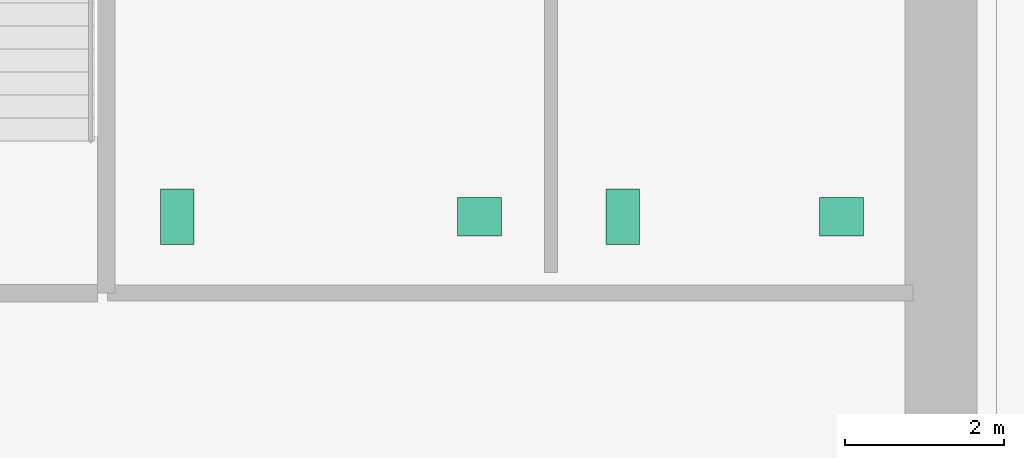
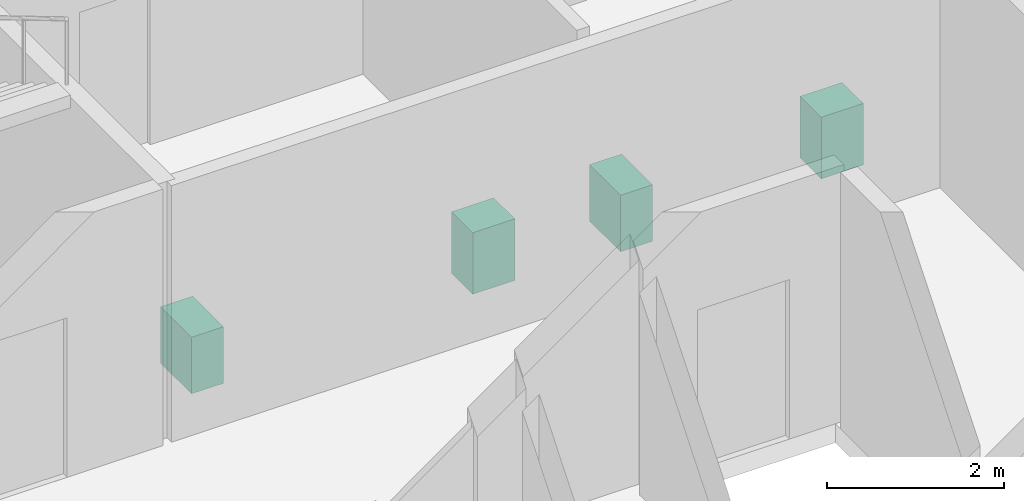
# One storey, part 14 of 14: 4 sanitary terminals.
"""IFC4 building model written with IfcOpenShell, lengths in metres."""

from ifc_helpers import new_model, si_unit, direction, frame, origin, origin_2d, place, context, subcontext, project, spatial, rectangle, extrude, material, type_object, element, save


model = new_model("IFC4")

# Units and contexts
model_context = context("Model", 3, precision=1e-05, world=origin(), true_north=direction((0.0, 1.0)))
body_context = subcontext(model_context, "Body", "Model", "MODEL_VIEW")
ifc_project = project(units=[si_unit("LENGTHUNIT", "METRE"), si_unit("AREAUNIT", "SQUARE_METRE"), si_unit("VOLUMEUNIT", "CUBIC_METRE"), si_unit("PLANEANGLEUNIT", "RADIAN"), si_unit("MASSUNIT", "GRAM", prefix="KILO")], contexts=[model_context])

# Site, building, storey
site_placement = place(None, origin())
site = spatial("IfcSite", under=ifc_project, at=site_placement, CompositionType="ELEMENT")
building_placement = place(site_placement, origin())
building = spatial("IfcBuilding", under=site, at=building_placement, Name="Norrvale University Quadrangle", CompositionType="ELEMENT")
storey_placement = place(building_placement, frame((0.0, 0.0, 73.60009765625)))
storey = spatial("IfcBuildingStorey", under=building, at=storey_placement, Name="L18", CompositionType="ELEMENT", Elevation=73.60009765625)

# Sanitary terminals
ifc_material = material(Name="Vitreous China Sanitaryware")
sanitary_terminal_type_1 = type_object("IfcSanitaryTerminalType", Name="Sanitary Wash Basin", PredefinedType="WASHHANDBASIN", material=ifc_material)
for number, where, z_axis, x_axis, name in (
    (1, (11.0, 41.10009765625, -0.000244140625), (0.0, 0.0, 1.0), (1.0, 0.0, 0.0), "Accessible Countertop Washbasin L18-1"),
    (2, (15.550048828125, 41.10009765625, -0.000244140625), (0.0, 0.0, 1.0), (1.0, 0.0, 0.0), "Accessible Countertop Washbasin L18-2"),
):
    element("IfcSanitaryTerminal", number, at=place(storey_placement, frame(where, z_axis=z_axis, x_axis=x_axis)), inside=storey, type_object=sanitary_terminal_type_1, Name=name, PredefinedType="WASHHANDBASIN", context=body_context, shape_type="SweptSolid", body=[
        extrude(rectangle(XDim=0.550048828125, YDim=0.47998046875, at=origin_2d()), origin(), (0.0, 0.0, 1.0), 0.85009765625),
    ])
sanitary_terminal_type_2 = type_object("IfcSanitaryTerminalType", Name="Sanitary Water Closet", PredefinedType="TOILETPAN", material=ifc_material)
for number, where, z_axis, x_axis, name in (
    (3, (7.199951171875, 41.10009765625, 0.0), (0.0, 0.0, 1.0), (1.0, 0.0, 0.0), "Wall-Hung Water Closet L18-1"),
    (4, (12.800048828125, 41.10009765625, 0.0), (0.0, 0.0, 1.0), (1.0, 0.0, 0.0), "Wall-Hung Water Closet L18-2"),
):
    element("IfcSanitaryTerminal", number, at=place(storey_placement, frame(where, z_axis=z_axis, x_axis=x_axis)), inside=storey, type_object=sanitary_terminal_type_2, Name=name, PredefinedType="TOILETPAN", context=body_context, shape_type="SweptSolid", body=[
        extrude(rectangle(XDim=0.419921875, YDim=0.699951171875, at=origin_2d()), origin(), (0.0, 0.0, 1.0), 0.780029296875),
    ])

save(model, "model.ifc")
